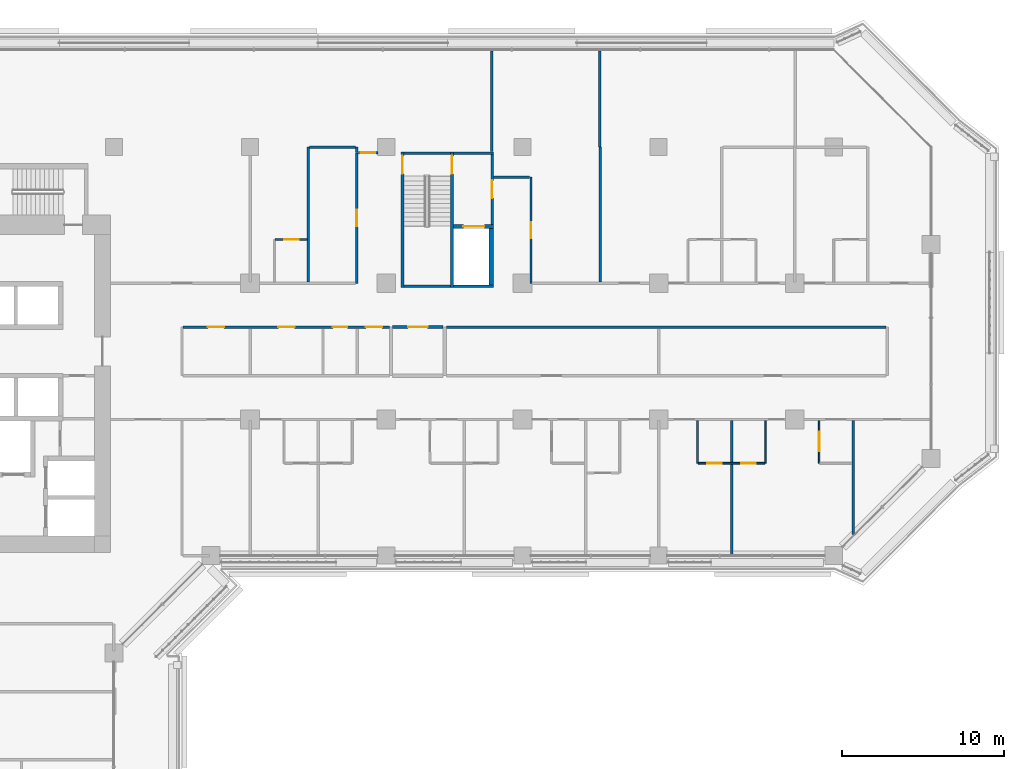
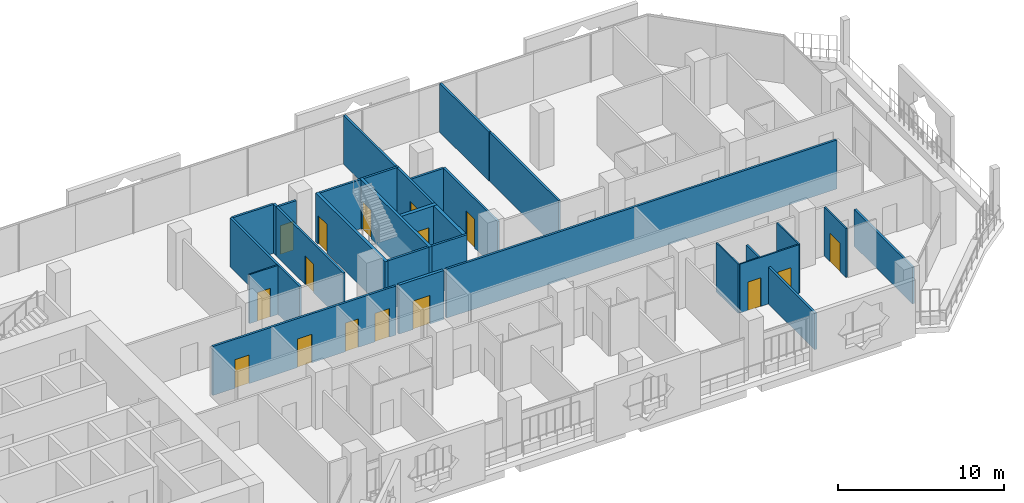
# One storey, part 16 of 25: 29 walls, 16 doors, 16 openings.
"""IFC4 building model written with IfcOpenShell, lengths in metres."""

import ifcopenshell
import ifcopenshell.guid

model = None  # the IFC model being written
_history = None  # IfcOwnerHistory: only IFC2X3 demands one
_inside = {}  # id of a spatial element -> (the spatial element, [elements in it])
_under = {}  # id of a project, library or spatial element -> (it, [spatial elements below it])
_declared = {}  # id of a project -> (the project, [libraries it declares])
_typed = {}  # id of a type object -> (the type object, [elements of that type])
_made_of = {}  # id of a material, layer set ... -> (it, [elements and type objects made of it])


def new_model(schema):
    """Start an empty IFC model of exactly this schema.

    Asked for "IFC4X3", IfcOpenShell would pick the latest addendum, in which some entities
    have other attributes; the version numbers below select the first issue.
    IFC2X3 requires an IfcOwnerHistory on every rooted entity: one is made here for all.
    """
    global model, _history
    if schema == "IFC4X3":
        model = ifcopenshell.file(schema_version=(4, 3, 0, 0))
    else:
        model = ifcopenshell.file(schema=schema)
    _inside.clear()
    _under.clear()
    _declared.clear()
    _typed.clear()
    _made_of.clear()
    _history = None
    if model.schema == "IFC2X3":
        org = make("IfcOrganization", Name="unknown")
        user = make(
            "IfcPersonAndOrganization",
            ThePerson=make("IfcPerson", FamilyName="unknown"),
            TheOrganization=org,
        )
        app = make(
            "IfcApplication",
            ApplicationDeveloper=org,
            Version="unknown",
            ApplicationFullName="unknown",
            ApplicationIdentifier="unknown",
        )
        _history = make(
            "IfcOwnerHistory",
            OwningUser=user,
            OwningApplication=app,
            ChangeAction="ADDED",
            CreationDate=0,
        )
    return model


def make(cls, **values):
    """One entity of the class cls with the attributes given. An attribute that is None is left unset."""
    return model.create_entity(
        cls, **{name: value for name, value in values.items() if value is not None}
    )


def rooted(cls, **values):
    """An entity with a GlobalId (a new one), such as an element, a storey or a relation."""
    return make(cls, GlobalId=ifcopenshell.guid.new(), OwnerHistory=_history, **values)


def si_unit(unit_type, name, prefix=None):
    """IfcSIUnit, for example si_unit("LENGTHUNIT", "METRE", prefix="MILLI")."""
    return make("IfcSIUnit", UnitType=unit_type, Prefix=prefix, Name=name)


def assignment(units):
    """IfcUnitAssignment: the units of a project."""
    return None if units is None else make("IfcUnitAssignment", Units=units)


def point(xyz):
    """IfcCartesianPoint."""
    return None if xyz is None else make("IfcCartesianPoint", Coordinates=xyz)


def direction(xyz):
    """IfcDirection."""
    return None if xyz is None else make("IfcDirection", DirectionRatios=xyz)


def frame(location, z_axis=None, x_axis=None):
    """IfcAxis2Placement3D, a coordinate frame: its origin and axes. An axis left out is left unset."""
    return make(
        "IfcAxis2Placement3D",
        Location=point(location),
        Axis=direction(z_axis),
        RefDirection=direction(x_axis),
    )


def frame_2d(location, x_axis=None):
    """IfcAxis2Placement2D, a coordinate frame in the plane: its origin and x axis."""
    return make(
        "IfcAxis2Placement2D", Location=point(location), RefDirection=direction(x_axis)
    )


def origin():
    """The frame at (0, 0, 0) with its axes left unset."""
    return frame((0.0, 0.0, 0.0))


def place(relative_to, where):
    """IfcLocalPlacement: puts the frame where relative to a parent placement (None: the world)."""
    return make(
        "IfcLocalPlacement", PlacementRelTo=relative_to, RelativePlacement=where
    )


def context(
    kind, dimensions, precision=None, world=None, true_north=None, identifier=None
):
    """IfcGeometricRepresentationContext, for example the 3D "Model" context."""
    return make(
        "IfcGeometricRepresentationContext",
        ContextIdentifier=identifier,
        ContextType=kind,
        CoordinateSpaceDimension=dimensions,
        Precision=precision,
        WorldCoordinateSystem=world,
        TrueNorth=true_north,
    )


def subcontext(parent, identifier, kind, view, scale=None):
    """IfcGeometricRepresentationSubContext, for example "Body" below "Model"."""
    return make(
        "IfcGeometricRepresentationSubContext",
        ContextIdentifier=identifier,
        ContextType=kind,
        ParentContext=parent,
        TargetScale=scale,
        TargetView=view,
    )


def project(units=None, contexts=None):
    """IfcProject with its units and contexts."""
    return rooted(
        "IfcProject",
        Name="project",
        RepresentationContexts=contexts,
        UnitsInContext=assignment(units),
    )


def spatial(cls, under=None, at=None, **own):
    """A site, building, storey or space (cls), placed at a placement, below another one or the project."""
    s = rooted(cls, ObjectPlacement=at, **own)
    if under is not None:
        _under.setdefault(under.id(), (under, []))[1].append(s)
    return s


def profile(cls, at=None, kind="AREA", **sizes):
    """A parametric profile (cls). Its sizes go by their IFC names, for example OverallWidth=200.0."""
    return make(cls, ProfileType=kind, Position=at, **sizes)


def rectangle(**sizes):
    """IfcRectangleProfileDef."""
    return profile("IfcRectangleProfileDef", **sizes)


def extrude(swept, where, along, depth):
    """IfcExtrudedAreaSolid: the profile swept, set in the frame where, extruded along a direction by depth."""
    return make(
        "IfcExtrudedAreaSolid",
        SweptArea=swept,
        Position=where,
        ExtrudedDirection=direction(along),
        Depth=depth,
    )


def shape(context_of_items, identifier, shape_type, items):
    """IfcShapeRepresentation: the items that make up one representation, for example the "Body"."""
    return make(
        "IfcShapeRepresentation",
        ContextOfItems=context_of_items,
        RepresentationIdentifier=identifier,
        RepresentationType=shape_type,
        Items=items,
    )


def material(Name=None, Category=None):
    """IfcMaterial."""
    return make("IfcMaterial", Name=Name, Category=Category)


def layer(
    of_material, thickness, ventilated=None, Name=None, Category=None, Priority=None
):
    """IfcMaterialLayer: one layer of a wall or slab, of a material (None: an air gap)."""
    return make(
        "IfcMaterialLayer",
        Material=of_material,
        LayerThickness=thickness,
        IsVentilated=ventilated,
        Name=Name,
        Category=Category,
        Priority=Priority,
    )


def layer_set(layers, Name=None):
    """IfcMaterialLayerSet."""
    return make("IfcMaterialLayerSet", MaterialLayers=layers, LayerSetName=Name)


def made_of(thing, what):
    """Note that an element or type object is made of a material, layer set ...; save() writes the relation."""
    if what is not None:
        _made_of.setdefault(what.id(), (what, []))[1].append(thing)
    return thing


def type_object(cls, material=None, **own):
    """A type object (cls), such as IfcWallType, which elements share."""
    return made_of(rooted(cls, **own), material)


def element(
    cls,
    number,
    at=None,
    inside=None,
    cuts=None,
    type_object=None,
    material=None,
    context=None,
    identifier="Body",
    shape_type=None,
    held_by="IfcProductDefinitionShape",
    body=None,
    shapes=None,
    **own,
):
    """One element of the class cls, such as IfcWall. Its Tag is "e" and its number.

    at: its placement. inside: the storey or other place that contains it. cuts: it is an
    opening in that element (IfcRelVoidsElement). A single representation is given by context,
    identifier, shape_type and body (its items); several are given by shapes. held_by: the class
    of the entity that holds the representations. save() writes the other relations.
    """
    e = rooted(cls, Tag="e%d" % number, ObjectPlacement=at, **own)
    if body is not None:
        shapes = [shape(context, identifier, shape_type, body)]
    if shapes is not None:
        e.Representation = make(held_by, Representations=shapes)
    if inside is not None:
        _inside.setdefault(inside.id(), (inside, []))[1].append(e)
    if cuts is not None:
        rooted(
            "IfcRelVoidsElement", RelatingBuildingElement=cuts, RelatedOpeningElement=e
        )
    if type_object is not None:
        _typed.setdefault(type_object.id(), (type_object, []))[1].append(e)
    return made_of(e, material)


def fill(opening, filler):
    """IfcRelFillsElement: the door or window that sits in an opening."""
    return rooted(
        "IfcRelFillsElement",
        RelatingOpeningElement=opening,
        RelatedBuildingElement=filler,
    )


def aggregate(whole, parts):
    """IfcRelAggregates: a whole, such as a stair, and the parts it consists of."""
    return rooted("IfcRelAggregates", RelatingObject=whole, RelatedObjects=parts)


def save(model, path):
    """Write the relations noted so far, then the file.

    IfcRelAggregates (storeys below a building ...), IfcRelContainedInSpatialStructure (elements
    in a storey), IfcRelDefinesByType, IfcRelAssociatesMaterial and IfcRelDeclares: one each for
    every whole, place, type object, material and project.
    """
    for whole, parts in _under.values():
        aggregate(whole, parts)
    for where, things in _inside.values():
        rooted(
            "IfcRelContainedInSpatialStructure",
            RelatedElements=things,
            RelatingStructure=where,
        )
    for kind, things in _typed.values():
        rooted("IfcRelDefinesByType", RelatedObjects=things, RelatingType=kind)
    for what, things in _made_of.values():
        rooted("IfcRelAssociatesMaterial", RelatedObjects=things, RelatingMaterial=what)
    for by, libraries in _declared.values():
        rooted("IfcRelDeclares", RelatingContext=by, RelatedDefinitions=libraries)
    model.write(path)


model = new_model("IFC4")

# Units and contexts
model_context = context("Model", 3, precision=1e-05, world=origin(), true_north=direction((0.0, 1.0)))
body_context = subcontext(model_context, "Body", "Model", "MODEL_VIEW")
ifc_project = project(units=[si_unit("LENGTHUNIT", "METRE"), si_unit("AREAUNIT", "SQUARE_METRE"), si_unit("VOLUMEUNIT", "CUBIC_METRE"), si_unit("PLANEANGLEUNIT", "RADIAN"), si_unit("MASSUNIT", "GRAM", prefix="KILO")], contexts=[model_context])

# Site, building, storey
site_placement = place(None, origin())
site = spatial("IfcSite", under=ifc_project, at=site_placement, CompositionType="ELEMENT")
building_placement = place(site_placement, origin())
building = spatial("IfcBuilding", under=site, at=building_placement, Name="Kawkab Arch Medical Tower", CompositionType="ELEMENT")
storey_placement = place(building_placement, frame((0.0, 0.0, 140.800048828125)))
storey = spatial("IfcBuildingStorey", under=building, at=storey_placement, Name="L32", CompositionType="ELEMENT", Elevation=140.800048828125)

# Wall, opening, door
ifc_material_1 = material(Name="Gypsum board on steel studs", Category="steel")
ifc_layer_1 = layer(ifc_material_1, 0.14990234375)
ifc_layer_set_1 = layer_set([ifc_layer_1], Name="Gypsum board on steel studs")
wall_type_1 = type_object("IfcWallType", Name="Core room partition 150", PredefinedType="PARTITIONING", material=ifc_layer_set_1)
wall_1_placement = place(storey_placement, frame((48.52490234375, -4.77490234375, 0.0), z_axis=(0.0, 0.0, 1.0), x_axis=(0.0, 1.0, 0.0)))
wall_1 = element("IfcWall", 1, at=wall_1_placement, inside=storey, type_object=wall_type_1, Name="L32 core room partition", PredefinedType="PARTITIONING", context=body_context, shape_type="SweptSolid", body=[
    extrude(rectangle(XDim=4.324951171875, YDim=0.14990234375, at=frame_2d((2.16259765625, 0.0))), origin(), (0.0, 0.0, 1.0), 3.599853515625),
])
opening_1_placement = place(wall_1_placement, frame((1.625, 0.0, 0.0)))
opening_1 = element("IfcOpeningElement", 2, at=opening_1_placement, cuts=wall_1, Name="Opening FD", PredefinedType="OPENING", context=body_context, shape_type="SweptSolid", body=[
    extrude(rectangle(XDim=1.10009765625, YDim=2.10009765625, at=frame_2d((0.550048828125, 1.050048828125))), frame((0.0, 0.0849609375, 0.0), z_axis=(0.0, -1.0, 0.0), x_axis=(1.0, 0.0, 0.0)), (0.0, 0.0, 1.0), 0.169921875),
])
ifc_material_2 = material(Name="Hollow metal fire door leaf")
door_type_1 = type_object("IfcDoorType", Name="Firefighting lobby door 1100", OperationType="SINGLE_SWING_LEFT", PredefinedType="DOOR", material=ifc_material_2)
door_1_placement = place(opening_1_placement, origin())
door_1 = element("IfcDoor", 3, at=door_1_placement, inside=storey, type_object=door_type_1, Name="L32 Service lift lobby door SV1", OperationType="SINGLE_SWING_LEFT", OverallHeight=2.10009765625, OverallWidth=1.10009765625, PredefinedType="DOOR", context=body_context, shape_type="SweptSolid", body=[
    extrude(rectangle(XDim=1.10009765625, YDim=2.10009765625, at=frame_2d((0.550048828125, 1.050048828125))), frame((0.0, 0.02490234375, 0.0), z_axis=(0.0, -1.0, 0.0), x_axis=(1.0, 0.0, 0.0)), (0.0, 0.0, 1.0), 0.050048828125),
])
fill(opening_1, door_1)

ifc_material_3 = material(Name="Concrete C60/75", Category="concrete")
ifc_layer_2 = layer(ifc_material_3, 0.25)
ifc_layer_set_2 = layer_set([ifc_layer_2], Name="Concrete C60/75")
wall_type_2 = type_object("IfcWallType", Name="Core shear wall 250 C60/75", PredefinedType="SHEAR", material=ifc_layer_set_2)
wall_2_placement = place(storey_placement, frame((46.14990234375, -4.89990234375, 0.0), z_axis=(0.0, 0.0, 1.0), x_axis=(1.0, 0.0, 0.0)))
wall_2 = element("IfcWall", 4, at=wall_2_placement, inside=storey, type_object=wall_type_2, Name="L32 core shear wall", PredefinedType="SHEAR", context=body_context, shape_type="SweptSolid", body=[
    extrude(rectangle(XDim=2.4501953125, YDim=0.25, at=frame_2d((1.22509765625, 0.0))), origin(), (0.0, 0.0, 1.0), 3.599853515625),
])
opening_2_placement = place(wall_2_placement, frame((0.60009765625, 0.0, 0.0)))
opening_2 = element("IfcOpeningElement", 5, at=opening_2_placement, cuts=wall_2, Name="Opening LD2", PredefinedType="OPENING", context=body_context, shape_type="SweptSolid", body=[
    extrude(rectangle(XDim=1.300048828125, YDim=2.10009765625, at=frame_2d((0.64990234375, 1.050048828125))), frame((0.0, 0.135009765625, 0.0), z_axis=(0.0, -1.0, 0.0), x_axis=(1.0, 0.0, 0.0)), (0.0, 0.0, 1.0), 0.27001953125),
])
ifc_material_4 = material(Name="Stainless steel lift door leaf", Category="steel")
door_type_2 = type_object("IfcDoorType", Name="Lift landing door 1300", OperationType="DOUBLE_DOOR_SLIDING", PredefinedType="DOOR", material=ifc_material_4)
door_2_placement = place(opening_2_placement, origin())
door_2 = element("IfcDoor", 6, at=door_2_placement, inside=storey, type_object=door_type_2, Name="L32 Lift landing door SV1", OperationType="DOUBLE_DOOR_SLIDING", OverallHeight=2.10009765625, OverallWidth=1.300048828125, PredefinedType="DOOR", context=body_context, shape_type="SweptSolid", body=[
    extrude(rectangle(XDim=1.300048828125, YDim=2.10009765625, at=frame_2d((0.64990234375, 1.050048828125))), frame((0.0, 0.02490234375, 0.0), z_axis=(0.0, -1.0, 0.0), x_axis=(1.0, 0.0, 0.0)), (0.0, 0.0, 1.0), 0.050048828125),
])
fill(opening_2, door_2)

# Wall
wall_3_placement = place(storey_placement, frame((48.47509765625, -8.5, 0.0), z_axis=(0.0, 0.0, 1.0), x_axis=(0.0, 1.0, 0.0)))
element("IfcWall", 7, at=wall_3_placement, inside=storey, type_object=wall_type_2, Name="L32 core shear wall", PredefinedType="SHEAR", context=body_context, shape_type="SweptSolid", body=[
    extrude(rectangle(XDim=3.47509765625, YDim=0.25, at=frame_2d((1.737548828125, 0.0))), origin(), (0.0, 0.0, 1.0), 3.599853515625),
])

# Wall, openings, doors
ifc_material_5 = material(Name="Gypsum board partition on steel studs", Category="steel")
ifc_layer_3 = layer(ifc_material_5, 0.10009765625)
ifc_layer_set_3 = layer_set([ifc_layer_3], Name="Gypsum board partition on steel studs")
wall_type_3 = type_object("IfcWallType", Name="Partition 100", PredefinedType="PARTITIONING", material=ifc_layer_set_3)
wall_4_placement = place(storey_placement, frame((61.25, -19.5, 0.0), z_axis=(0.0, 0.0, 1.0), x_axis=(1.0, 0.0, 0.0)))
wall_4 = element("IfcWall", 8, at=wall_4_placement, inside=storey, type_object=wall_type_3, Name="Partition 100 w009", PredefinedType="PARTITIONING", context=body_context, shape_type="SweptSolid", body=[
    extrude(rectangle(XDim=4.10009765625, YDim=0.10009765625, at=frame_2d((2.050048828125, 0.0))), origin(), (0.0, 0.0, 1.0), 3.599853515625),
])
opening_3_placement = place(wall_4_placement, frame((0.550048828125, 0.0, 0.0)))
opening_3 = element("IfcOpeningElement", 9, at=opening_3_placement, cuts=wall_4, Name="Opening W27-012", PredefinedType="OPENING", context=body_context, shape_type="SweptSolid", body=[
    extrude(rectangle(XDim=0.89990234375, YDim=2.10009765625, at=frame_2d((0.449951171875, 1.050048828125))), frame((0.0, 0.06005859375, 0.0), z_axis=(0.0, -1.0, 0.0), x_axis=(1.0, 0.0, 0.0)), (0.0, 0.0, 1.0), 0.1201171875),
])
opening_4_placement = place(wall_4_placement, frame((2.64990234375, 0.0, 0.0)))
opening_4 = element("IfcOpeningElement", 10, at=opening_4_placement, cuts=wall_4, Name="Opening W27-013", PredefinedType="OPENING", context=body_context, shape_type="SweptSolid", body=[
    extrude(rectangle(XDim=0.89990234375, YDim=2.10009765625, at=frame_2d((0.449951171875, 1.050048828125))), frame((0.0, 0.06005859375, 0.0), z_axis=(0.0, -1.0, 0.0), x_axis=(1.0, 0.0, 0.0)), (0.0, 0.0, 1.0), 0.1201171875),
])
ifc_material_6 = material(Name="Timber door leaf", Category="wood")
door_type_3 = type_object("IfcDoorType", Name="Single door 900x2100", OperationType="NOTDEFINED", PredefinedType="DOOR", material=ifc_material_6)
door_3_placement = place(opening_3_placement, origin())
door_3 = element("IfcDoor", 11, at=door_3_placement, inside=storey, type_object=door_type_3, Name="Door W27-012", OperationType="SINGLE_SWING_RIGHT", OverallHeight=2.10009765625, OverallWidth=0.89990234375, PredefinedType="DOOR", context=body_context, shape_type="SweptSolid", body=[
    extrude(rectangle(XDim=0.89990234375, YDim=2.10009765625, at=frame_2d((0.449951171875, 1.050048828125))), frame((0.0, 0.02490234375, 0.0), z_axis=(0.0, -1.0, 0.0), x_axis=(1.0, 0.0, 0.0)), (0.0, 0.0, 1.0), 0.050048828125),
])
fill(opening_3, door_3)
door_4_placement = place(opening_4_placement, origin())
door_4 = element("IfcDoor", 12, at=door_4_placement, inside=storey, type_object=door_type_3, Name="Door W27-013", OperationType="SINGLE_SWING_LEFT", OverallHeight=2.10009765625, OverallWidth=0.89990234375, PredefinedType="DOOR", context=body_context, shape_type="SweptSolid", body=[
    extrude(rectangle(XDim=0.89990234375, YDim=2.10009765625, at=frame_2d((0.449951171875, 1.050048828125))), frame((0.0, 0.02490234375, 0.0), z_axis=(0.0, -1.0, 0.0), x_axis=(1.0, 0.0, 0.0)), (0.0, 0.0, 1.0), 0.050048828125),
])
fill(opening_4, door_4)

# Wall, opening, door
wall_5_placement = place(storey_placement, frame((35.15087890625, -5.699951171875, 0.0), z_axis=(0.0, 0.0, 1.0), x_axis=(1.0, 0.0, 0.0)))
wall_5 = element("IfcWall", 13, at=wall_5_placement, inside=storey, type_object=wall_type_3, Name="Partition 100 w011", PredefinedType="PARTITIONING", context=body_context, shape_type="SweptSolid", body=[
    extrude(rectangle(XDim=1.97412109375, YDim=0.10009765625, at=frame_2d((0.987060546875, 0.0))), origin(), (0.0, 0.0, 1.0), 3.599853515625),
])
opening_5_placement = place(wall_5_placement, frame((0.549072265625, 0.0, 0.0)))
opening_5 = element("IfcOpeningElement", 14, at=opening_5_placement, cuts=wall_5, Name="Opening W27-004", PredefinedType="OPENING", context=body_context, shape_type="SweptSolid", body=[
    extrude(rectangle(XDim=0.89990234375, YDim=2.10009765625, at=frame_2d((0.449951171875, 1.050048828125))), frame((0.0, 0.06005859375, 0.0), z_axis=(0.0, -1.0, 0.0), x_axis=(1.0, 0.0, 0.0)), (0.0, 0.0, 1.0), 0.1201171875),
])
door_5_placement = place(opening_5_placement, origin())
door_5 = element("IfcDoor", 15, at=door_5_placement, inside=storey, type_object=door_type_3, Name="Door W27-004", OperationType="SINGLE_SWING_LEFT", OverallHeight=2.10009765625, OverallWidth=0.89990234375, PredefinedType="DOOR", context=body_context, shape_type="SweptSolid", body=[
    extrude(rectangle(XDim=0.89990234375, YDim=2.10009765625, at=frame_2d((0.449951171875, 1.050048828125))), frame((0.0, 0.02490234375, 0.0), z_axis=(0.0, -1.0, 0.0), x_axis=(1.0, 0.0, 0.0)), (0.0, 0.0, 1.0), 0.050048828125),
])
fill(opening_5, door_5)

# Walls
for number, where, z_axis, x_axis, name in (
    (16, (61.199951171875, -19.5, 0.0), (0.0, 0.0, 1.0), (0.0, 1.0, 0.0), "Partition 100 w025"),
    (17, (65.39990234375, -19.5, 0.0), (0.0, 0.0, 1.0), (0.0, 1.0, 0.0), "Partition 100 w027"),
):
    element("IfcWall", number, at=place(storey_placement, frame(where, z_axis=z_axis, x_axis=x_axis)), inside=storey, type_object=wall_type_3, Name=name, PredefinedType="PARTITIONING", context=body_context, shape_type="SweptSolid", body=[
        extrude(rectangle(XDim=2.625, YDim=0.10009765625, at=frame_2d((1.3125, 0.0))), origin(), (0.0, 0.0, 1.0), 3.599853515625),
    ])

# Wall, opening, door
wall_6_placement = place(storey_placement, frame((68.699951171875, -19.5, 0.0), z_axis=(0.0, 0.0, 1.0), x_axis=(0.0, 1.0, 0.0)))
wall_6 = element("IfcWall", 18, at=wall_6_placement, inside=storey, type_object=wall_type_3, Name="Partition 100 w028", PredefinedType="PARTITIONING", context=body_context, shape_type="SweptSolid", body=[
    extrude(rectangle(XDim=2.625, YDim=0.10009765625, at=frame_2d((1.3125, 0.0))), origin(), (0.0, 0.0, 1.0), 3.599853515625),
])
opening_6_placement = place(wall_6_placement, frame((0.75, 0.0, 0.0)))
opening_6 = element("IfcOpeningElement", 19, at=opening_6_placement, cuts=wall_6, Name="Opening W27-052", PredefinedType="OPENING", context=body_context, shape_type="SweptSolid", body=[
    extrude(rectangle(XDim=1.199951171875, YDim=2.10009765625, at=frame_2d((0.60009765625, 1.050048828125))), frame((0.0, 0.06005859375, 0.0), z_axis=(0.0, -1.0, 0.0), x_axis=(1.0, 0.0, 0.0)), (0.0, 0.0, 1.0), 0.1201171875),
])
ifc_material_7 = material(Name="Timber door leaf", Category="wood")
door_type_4 = type_object("IfcDoorType", Name="Single door 1200x2100", OperationType="NOTDEFINED", PredefinedType="DOOR", material=ifc_material_7)
door_6_placement = place(opening_6_placement, origin())
door_6 = element("IfcDoor", 20, at=door_6_placement, inside=storey, type_object=door_type_4, Name="Door W27-052", OperationType="SINGLE_SWING_LEFT", OverallHeight=2.10009765625, OverallWidth=1.199951171875, PredefinedType="DOOR", context=body_context, shape_type="SweptSolid", body=[
    extrude(rectangle(XDim=1.199951171875, YDim=2.10009765625, at=frame_2d((0.60009765625, 1.050048828125))), frame((0.0, 0.02490234375, 0.0), z_axis=(0.0, -1.0, 0.0), x_axis=(1.0, 0.0, 0.0)), (0.0, 0.0, 1.0), 0.050048828125),
])
fill(opening_6, door_6)

# Wall, openings, doors
ifc_material_8 = material(Name="Gypsum board partition on steel studs, mineral wool", Category="steel")
ifc_layer_4 = layer(ifc_material_8, 0.14990234375)
ifc_layer_set_4 = layer_set([ifc_layer_4], Name="Gypsum board partition on steel studs, mineral wool")
wall_type_4 = type_object("IfcWallType", Name="Partition 150", PredefinedType="PARTITIONING", material=ifc_layer_set_4)
wall_7_placement = place(storey_placement, frame((29.47509765625, -11.10009765625, 0.0), z_axis=(0.0, 0.0, 1.0), x_axis=(1.0, 0.0, 0.0)))
wall_7 = element("IfcWall", 21, at=wall_7_placement, inside=storey, type_object=wall_type_4, Name="Partition 150 w049", PredefinedType="PARTITIONING", context=body_context, shape_type="SweptSolid", body=[
    extrude(rectangle(XDim=12.724853515625, YDim=0.14990234375, at=frame_2d((6.3623046875, 0.0))), origin(), (0.0, 0.0, 1.0), 3.599853515625),
])
opening_7_placement = place(wall_7_placement, frame((1.52490234375, 0.0, 0.0)))
opening_7 = element("IfcOpeningElement", 22, at=opening_7_placement, cuts=wall_7, Name="Opening W27-026", PredefinedType="OPENING", context=body_context, shape_type="SweptSolid", body=[
    extrude(rectangle(XDim=1.0, YDim=2.10009765625, at=frame_2d((0.5, 1.050048828125))), frame((0.0, 0.0849609375, 0.0), z_axis=(0.0, -1.0, 0.0), x_axis=(1.0, 0.0, 0.0)), (0.0, 0.0, 1.0), 0.169921875),
])
opening_8_placement = place(wall_7_placement, frame((9.22509765625, 0.0, 0.0)))
opening_8 = element("IfcOpeningElement", 23, at=opening_8_placement, cuts=wall_7, Name="Opening W27-017", PredefinedType="OPENING", context=body_context, shape_type="SweptSolid", body=[
    extrude(rectangle(XDim=0.89990234375, YDim=2.10009765625, at=frame_2d((0.449951171875, 1.050048828125))), frame((0.0, 0.0849609375, 0.0), z_axis=(0.0, -1.0, 0.0), x_axis=(1.0, 0.0, 0.0)), (0.0, 0.0, 1.0), 0.169921875),
])
opening_9_placement = place(wall_7_placement, frame((11.27490234375, 0.0, 0.0)))
opening_9 = element("IfcOpeningElement", 24, at=opening_9_placement, cuts=wall_7, Name="Opening W27-022", PredefinedType="OPENING", context=body_context, shape_type="SweptSolid", body=[
    extrude(rectangle(XDim=1.0, YDim=2.10009765625, at=frame_2d((0.5, 1.050048828125))), frame((0.0, 0.0849609375, 0.0), z_axis=(0.0, -1.0, 0.0), x_axis=(1.0, 0.0, 0.0)), (0.0, 0.0, 1.0), 0.169921875),
])
opening_10_placement = place(wall_7_placement, frame((5.875, 0.0, 0.0)))
opening_10 = element("IfcOpeningElement", 25, at=opening_10_placement, cuts=wall_7, Name="Opening W27-036", PredefinedType="OPENING", context=body_context, shape_type="SweptSolid", body=[
    extrude(rectangle(XDim=1.0, YDim=2.10009765625, at=frame_2d((0.5, 1.050048828125))), frame((0.0, 0.0849609375, 0.0), z_axis=(0.0, -1.0, 0.0), x_axis=(1.0, 0.0, 0.0)), (0.0, 0.0, 1.0), 0.169921875),
])
ifc_material_9 = material(Name="Timber door leaf", Category="wood")
door_type_5 = type_object("IfcDoorType", Name="Single door 1000x2100", OperationType="NOTDEFINED", PredefinedType="DOOR", material=ifc_material_9)
door_7_placement = place(opening_9_placement, origin())
door_7 = element("IfcDoor", 26, at=door_7_placement, inside=storey, type_object=door_type_5, Name="Door W27-022", OperationType="SINGLE_SWING_LEFT", OverallHeight=2.10009765625, OverallWidth=1.0, PredefinedType="DOOR", context=body_context, shape_type="SweptSolid", body=[
    extrude(rectangle(XDim=1.0, YDim=2.10009765625, at=frame_2d((0.5, 1.050048828125))), frame((0.0, 0.02490234375, 0.0), z_axis=(0.0, -1.0, 0.0), x_axis=(1.0, 0.0, 0.0)), (0.0, 0.0, 1.0), 0.050048828125),
])
fill(opening_9, door_7)
ifc_material_10 = material(Name="Hollow metal door leaf")
door_type_6 = type_object("IfcDoorType", Name="Single door 1000x2100 FD30S", OperationType="NOTDEFINED", PredefinedType="DOOR", material=ifc_material_10)
door_8_placement = place(opening_7_placement, origin())
door_8 = element("IfcDoor", 27, at=door_8_placement, inside=storey, type_object=door_type_6, Name="Door W27-026", OperationType="SINGLE_SWING_RIGHT", OverallHeight=2.10009765625, OverallWidth=1.0, PredefinedType="DOOR", context=body_context, shape_type="SweptSolid", body=[
    extrude(rectangle(XDim=1.0, YDim=2.10009765625, at=frame_2d((0.5, 1.050048828125))), frame((0.0, 0.02490234375, 0.0), z_axis=(0.0, -1.0, 0.0), x_axis=(1.0, 0.0, 0.0)), (0.0, 0.0, 1.0), 0.050048828125),
])
fill(opening_7, door_8)
door_9_placement = place(opening_10_placement, origin())
door_9 = element("IfcDoor", 28, at=door_9_placement, inside=storey, type_object=door_type_6, Name="Door W27-036", OperationType="SINGLE_SWING_RIGHT", OverallHeight=2.10009765625, OverallWidth=1.0, PredefinedType="DOOR", context=body_context, shape_type="SweptSolid", body=[
    extrude(rectangle(XDim=1.0, YDim=2.10009765625, at=frame_2d((0.5, 1.050048828125))), frame((0.0, 0.02490234375, 0.0), z_axis=(0.0, -1.0, 0.0), x_axis=(1.0, 0.0, 0.0)), (0.0, 0.0, 1.0), 0.050048828125),
])
fill(opening_10, door_9)
door_10_placement = place(opening_8_placement, origin())
door_10 = element("IfcDoor", 29, at=door_10_placement, inside=storey, type_object=door_type_3, Name="Door W27-017", OperationType="SINGLE_SWING_LEFT", OverallHeight=2.10009765625, OverallWidth=0.89990234375, PredefinedType="DOOR", context=body_context, shape_type="SweptSolid", body=[
    extrude(rectangle(XDim=0.89990234375, YDim=2.10009765625, at=frame_2d((0.449951171875, 1.050048828125))), frame((0.0, 0.02490234375, 0.0), z_axis=(0.0, -1.0, 0.0), x_axis=(1.0, 0.0, 0.0)), (0.0, 0.0, 1.0), 0.050048828125),
])
fill(opening_8, door_10)

# Walls
wall_8_placement = place(storey_placement, frame((45.699951171875, -11.10009765625, 0.0), z_axis=(0.0, 0.0, 1.0), x_axis=(1.0, 0.0, 0.0)))
element("IfcWall", 30, at=wall_8_placement, inside=storey, type_object=wall_type_4, Name="Partition 150 w050", PredefinedType="PARTITIONING", context=body_context, shape_type="SweptSolid", body=[
    extrude(rectangle(XDim=27.125, YDim=0.14990234375, at=frame_2d((13.5625, 0.0))), origin(), (0.0, 0.0, 1.0), 3.599853515625),
])
wall_9_placement = place(storey_placement, frame((48.60009765625, -1.85009765625, 0.0), z_axis=(0.0, 0.0, 1.0), x_axis=(1.0, 0.0, 0.0)))
element("IfcWall", 31, at=wall_9_placement, inside=storey, type_object=wall_type_4, Name="Partition 150 w053", PredefinedType="PARTITIONING", context=body_context, shape_type="SweptSolid", body=[
    extrude(rectangle(XDim=2.246826171875, YDim=0.14990234375, at=frame_2d((1.12353515625, 0.0))), origin(), (0.0, 0.0, 1.0), 3.599853515625),
])

# Wall, opening, door
wall_10_placement = place(storey_placement, frame((40.277099609375, -0.35009765625, 0.0), z_axis=(0.0, 0.0, 1.0), x_axis=(1.0, 0.0, 0.0)))
wall_10 = element("IfcWall", 32, at=wall_10_placement, inside=storey, type_object=wall_type_4, Name="Partition 150 w054", PredefinedType="PARTITIONING", context=body_context, shape_type="SweptSolid", body=[
    extrude(rectangle(XDim=1.2109375, YDim=0.14990234375, at=frame_2d((0.60546875, 0.0))), origin(), (0.0, 0.0, 1.0), 3.599853515625),
])
opening_11_placement = place(wall_10_placement, frame((0.14111328125, 0.0, 0.0)))
opening_11 = element("IfcOpeningElement", 33, at=opening_11_placement, cuts=wall_10, Name="Opening W27-018", PredefinedType="OPENING", context=body_context, shape_type="SweptSolid", body=[
    extrude(rectangle(XDim=0.89990234375, YDim=2.10009765625, at=frame_2d((0.449951171875, 1.050048828125))), frame((0.0, 0.0849609375, 0.0), z_axis=(0.0, -1.0, 0.0), x_axis=(1.0, 0.0, 0.0)), (0.0, 0.0, 1.0), 0.169921875),
])
ifc_material_11 = material(Name="Hollow metal door leaf")
door_type_7 = type_object("IfcDoorType", Name="Single door 900x2100 FD30S", OperationType="NOTDEFINED", PredefinedType="DOOR", material=ifc_material_11)
door_11_placement = place(opening_11_placement, origin())
door_11 = element("IfcDoor", 34, at=door_11_placement, inside=storey, type_object=door_type_7, Name="Door W27-018", OperationType="SINGLE_SWING_RIGHT", OverallHeight=2.10009765625, OverallWidth=0.89990234375, PredefinedType="DOOR", context=body_context, shape_type="SweptSolid", body=[
    extrude(rectangle(XDim=0.89990234375, YDim=2.10009765625, at=frame_2d((0.449951171875, 1.050048828125))), frame((0.0, 0.02490234375, 0.0), z_axis=(0.0, -1.0, 0.0), x_axis=(1.0, 0.0, 0.0)), (0.0, 0.0, 1.0), 0.050048828125),
])
fill(opening_11, door_11)

# Walls
wall_11_placement = place(storey_placement, frame((37.278076171875, 0.0, 0.0), z_axis=(0.0, 0.0, 1.0), x_axis=(1.0, 0.0, 0.0)))
element("IfcWall", 35, at=wall_11_placement, inside=storey, type_object=wall_type_4, Name="Partition 150 w055", PredefinedType="PARTITIONING", context=body_context, shape_type="SweptSolid", body=[
    extrude(rectangle(XDim=2.825927734375, YDim=0.14990234375, at=frame_2d((1.4130859375, 0.0))), origin(), (0.0, 0.0, 1.0), 3.599853515625),
])
wall_12_placement = place(storey_placement, frame((37.199951171875, -8.324951171875, 0.0), z_axis=(0.0, 0.0, 1.0), x_axis=(0.0, 1.0, 0.0)))
element("IfcWall", 36, at=wall_12_placement, inside=storey, type_object=wall_type_4, Name="Partition 150 w070", PredefinedType="PARTITIONING", context=body_context, shape_type="SweptSolid", body=[
    extrude(rectangle(XDim=8.322021484375, YDim=0.14990234375, at=frame_2d((4.1611328125, 0.0))), origin(), (0.0, 0.0, 1.0), 3.599853515625),
])

# Wall, opening, door
wall_13_placement = place(storey_placement, frame((40.181884765625, -8.39990234375, 0.0), z_axis=(0.0, 0.0, 1.0), x_axis=(0.0, 1.0, 0.0)))
wall_13 = element("IfcWall", 37, at=wall_13_placement, inside=storey, type_object=wall_type_4, Name="Partition 150 w073", PredefinedType="PARTITIONING", context=body_context, shape_type="SweptSolid", body=[
    extrude(rectangle(XDim=8.0498046875, YDim=0.14990234375, at=frame_2d((4.02490234375, 0.0))), origin(), (0.0, 0.0, 1.0), 3.599853515625),
])
opening_12_placement = place(wall_13_placement, frame((3.52490234375, 0.0, 0.0)))
opening_12 = element("IfcOpeningElement", 38, at=opening_12_placement, cuts=wall_13, Name="Opening W27-023", PredefinedType="OPENING", context=body_context, shape_type="SweptSolid", body=[
    extrude(rectangle(XDim=1.0, YDim=2.10009765625, at=frame_2d((0.5, 1.050048828125))), frame((0.0, 0.0849609375, 0.0), z_axis=(0.0, -1.0, 0.0), x_axis=(1.0, 0.0, 0.0)), (0.0, 0.0, 1.0), 0.169921875),
])
door_12_placement = place(opening_12_placement, origin())
door_12 = element("IfcDoor", 39, at=door_12_placement, inside=storey, type_object=door_type_6, Name="Door W27-023", OperationType="SINGLE_SWING_RIGHT", OverallHeight=2.10009765625, OverallWidth=1.0, PredefinedType="DOOR", context=body_context, shape_type="SweptSolid", body=[
    extrude(rectangle(XDim=1.0, YDim=2.10009765625, at=frame_2d((0.5, 1.050048828125))), frame((0.0, 0.02490234375, 0.0), z_axis=(0.0, -1.0, 0.0), x_axis=(1.0, 0.0, 0.0)), (0.0, 0.0, 1.0), 0.050048828125),
])
fill(opening_12, door_12)

# Walls
wall_14_placement = place(storey_placement, frame((40.181884765625, -0.330078125, 0.0), z_axis=(0.0, 0.0, 1.0), x_axis=(0.0, 1.0, 0.0)))
element("IfcWall", 40, at=wall_14_placement, inside=storey, type_object=wall_type_4, Name="Partition 150 w074", PredefinedType="PARTITIONING", context=body_context, shape_type="SweptSolid", body=[
    extrude(rectangle(XDim=0.3271484375, YDim=0.14990234375, at=frame_2d((0.16357421875, 0.0))), origin(), (0.0, 0.0, 1.0), 3.599853515625),
])
wall_15_placement = place(storey_placement, frame((48.5, -0.27001953125, 0.0), z_axis=(0.0, 0.0, 1.0), x_axis=(0.0, 1.0, 0.0)))
element("IfcWall", 41, at=wall_15_placement, inside=storey, type_object=wall_type_4, Name="Partition 150 w077", PredefinedType="PARTITIONING", context=body_context, shape_type="SweptSolid", body=[
    extrude(rectangle(XDim=6.18994140625, YDim=0.14990234375, at=frame_2d((3.094970703125, 0.0))), origin(), (0.0, 0.0, 1.0), 3.599853515625),
])

# Wall, opening, door
wall_16_placement = place(storey_placement, frame((50.925048828125, -8.39990234375, 0.0), z_axis=(0.0, 0.0, 1.0), x_axis=(0.0, 1.0, 0.0)))
wall_16 = element("IfcWall", 42, at=wall_16_placement, inside=storey, type_object=wall_type_4, Name="Partition 150 w078", PredefinedType="PARTITIONING", context=body_context, shape_type="SweptSolid", body=[
    extrude(rectangle(XDim=6.5478515625, YDim=0.14990234375, at=frame_2d((3.27392578125, 0.0))), origin(), (0.0, 0.0, 1.0), 3.599853515625),
])
opening_13_placement = place(wall_16_placement, frame((2.77392578125, 0.0, 0.0)))
opening_13 = element("IfcOpeningElement", 43, at=opening_13_placement, cuts=wall_16, Name="Opening W27-024", PredefinedType="OPENING", context=body_context, shape_type="SweptSolid", body=[
    extrude(rectangle(XDim=1.0, YDim=2.10009765625, at=frame_2d((0.5, 1.050048828125))), frame((0.0, 0.0849609375, 0.0), z_axis=(0.0, -1.0, 0.0), x_axis=(1.0, 0.0, 0.0)), (0.0, 0.0, 1.0), 0.169921875),
])
door_13_placement = place(opening_13_placement, origin())
door_13 = element("IfcDoor", 44, at=door_13_placement, inside=storey, type_object=door_type_6, Name="Door W27-024", OperationType="SINGLE_SWING_RIGHT", OverallHeight=2.10009765625, OverallWidth=1.0, PredefinedType="DOOR", context=body_context, shape_type="SweptSolid", body=[
    extrude(rectangle(XDim=1.0, YDim=2.10009765625, at=frame_2d((0.5, 1.050048828125))), frame((0.0, 0.02490234375, 0.0), z_axis=(0.0, -1.0, 0.0), x_axis=(1.0, 0.0, 0.0)), (0.0, 0.0, 1.0), 0.050048828125),
])
fill(opening_13, door_13)

# Walls
wall_17_placement = place(storey_placement, frame((55.179931640625, 0.02001953125, 0.0), z_axis=(0.0, 0.0, 1.0), x_axis=(0.0, 1.0, 0.0)))
element("IfcWall", 45, at=wall_17_placement, inside=storey, type_object=wall_type_4, Name="Partition 150 w080", PredefinedType="PARTITIONING", context=body_context, shape_type="SweptSolid", body=[
    extrude(rectangle(XDim=5.89990234375, YDim=0.14990234375, at=frame_2d((2.949951171875, 0.0))), origin(), (0.0, 0.0, 1.0), 3.599853515625),
])
wall_18_placement = place(storey_placement, frame((55.199951171875, -8.324951171875, 0.0), z_axis=(0.0, 0.0, 1.0), x_axis=(0.0, 1.0, 0.0)))
element("IfcWall", 46, at=wall_18_placement, inside=storey, type_object=wall_type_4, Name="Partition 150 w081", PredefinedType="PARTITIONING", context=body_context, shape_type="SweptSolid", body=[
    extrude(rectangle(XDim=8.321044921875, YDim=0.14990234375, at=frame_2d((4.16064453125, 0.0))), origin(), (0.0, 0.0, 1.0), 3.599853515625),
])
wall_19_placement = place(storey_placement, frame((63.300048828125, -25.1201171875, 0.0), z_axis=(0.0, 0.0, 1.0), x_axis=(0.0, 1.0, 0.0)))
element("IfcWall", 47, at=wall_19_placement, inside=storey, type_object=wall_type_4, Name="Partition 150 w085", PredefinedType="PARTITIONING", context=body_context, shape_type="SweptSolid", body=[
    extrude(rectangle(XDim=8.2451171875, YDim=0.14990234375, at=frame_2d((4.12255859375, 0.0))), origin(), (0.0, 0.0, 1.0), 2.699951171875),
])
wall_20_placement = place(storey_placement, frame((70.800048828125, -23.886962890625, 0.0), z_axis=(0.0, 0.0, 1.0), x_axis=(0.0, 1.0, 0.0)))
element("IfcWall", 48, at=wall_20_placement, inside=storey, type_object=wall_type_4, Name="Partition 150 w088", PredefinedType="PARTITIONING", context=body_context, shape_type="SweptSolid", body=[
    extrude(rectangle(XDim=7.011962890625, YDim=0.14990234375, at=frame_2d((3.505859375, 0.0))), origin(), (0.0, 0.0, 1.0), 2.699951171875),
])

# Wall, opening, door
ifc_material_12 = material(Name="Fire-rated gypsum board partition on steel studs", Category="steel")
ifc_layer_5 = layer(ifc_material_12, 0.199951171875)
ifc_layer_set_5 = layer_set([ifc_layer_5], Name="Fire-rated gypsum board partition on steel studs")
wall_type_5 = type_object("IfcWallType", Name="Protected partition 200", PredefinedType="PARTITIONING", material=ifc_layer_set_5)
wall_21_placement = place(storey_placement, frame((42.39990234375, -11.10009765625, 0.0), z_axis=(0.0, 0.0, 1.0), x_axis=(1.0, 0.0, 0.0)))
wall_21 = element("IfcWall", 49, at=wall_21_placement, inside=storey, type_object=wall_type_5, Name="Protected partition 200 w092", PredefinedType="PARTITIONING", context=body_context, shape_type="SweptSolid", body=[
    extrude(rectangle(XDim=3.10009765625, YDim=0.199951171875, at=frame_2d((1.550048828125, 0.0))), origin(), (0.0, 0.0, 1.0), 3.599853515625),
])
opening_14_placement = place(wall_21_placement, frame((0.949951171875, 0.0, 0.0)))
opening_14 = element("IfcOpeningElement", 50, at=opening_14_placement, cuts=wall_21, Name="Opening W27-058", PredefinedType="OPENING", context=body_context, shape_type="SweptSolid", body=[
    extrude(rectangle(XDim=1.199951171875, YDim=2.10009765625, at=frame_2d((0.60009765625, 1.050048828125))), frame((0.0, 0.10986328125, 0.0), z_axis=(0.0, -1.0, 0.0), x_axis=(1.0, 0.0, 0.0)), (0.0, 0.0, 1.0), 0.219970703125),
])
ifc_material_13 = material(Name="Hollow metal door leaf")
door_type_8 = type_object("IfcDoorType", Name="Single door 1200x2100 FD60", OperationType="NOTDEFINED", PredefinedType="DOOR", material=ifc_material_13)
door_14_placement = place(opening_14_placement, origin())
door_14 = element("IfcDoor", 51, at=door_14_placement, inside=storey, type_object=door_type_8, Name="Door W27-058", OperationType="SINGLE_SWING_LEFT", OverallHeight=2.10009765625, OverallWidth=1.199951171875, PredefinedType="DOOR", context=body_context, shape_type="SweptSolid", body=[
    extrude(rectangle(XDim=1.199951171875, YDim=2.10009765625, at=frame_2d((0.60009765625, 1.050048828125))), frame((0.0, 0.02490234375, 0.0), z_axis=(0.0, -1.0, 0.0), x_axis=(1.0, 0.0, 0.0)), (0.0, 0.0, 1.0), 0.050048828125),
])
fill(opening_14, door_14)

# Walls
ifc_material_14 = material(Name="Concrete C50/60", Category="concrete")
ifc_layer_6 = layer(ifc_material_14, 0.14990234375)
ifc_layer_set_6 = layer_set([ifc_layer_6], Name="Concrete C50/60")
wall_type_6 = type_object("IfcWallType", Name="Stair enclosure wall 150 C50/60", PredefinedType="SHEAR", material=ifc_layer_set_6)
wall_22_placement = place(storey_placement, frame((43.10009765625, -0.375, 0.0), z_axis=(0.0, 0.0, 1.0), x_axis=(1.0, 0.0, 0.0)))
element("IfcWall", 52, at=wall_22_placement, inside=storey, type_object=wall_type_6, Name="L32 stair enclosure wall", PredefinedType="SHEAR", context=body_context, shape_type="SweptSolid", body=[
    extrude(rectangle(XDim=2.849853515625, YDim=0.14990234375, at=frame_2d((1.4248046875, 0.0))), origin(), (0.0, 0.0, 1.0), 3.599853515625),
])
wall_23_placement = place(storey_placement, frame((46.14990234375, -0.375, 0.0), z_axis=(0.0, 0.0, 1.0), x_axis=(1.0, 0.0, 0.0)))
element("IfcWall", 53, at=wall_23_placement, inside=storey, type_object=wall_type_6, Name="L32 stair enclosure wall", PredefinedType="SHEAR", context=body_context, shape_type="SweptSolid", body=[
    extrude(rectangle(XDim=2.4501953125, YDim=0.14990234375, at=frame_2d((1.22509765625, 0.0))), origin(), (0.0, 0.0, 1.0), 3.599853515625),
])
wall_24_placement = place(storey_placement, frame((43.10009765625, -8.574951171875, 0.0), z_axis=(0.0, 0.0, 1.0), x_axis=(1.0, 0.0, 0.0)))
element("IfcWall", 54, at=wall_24_placement, inside=storey, type_object=wall_type_6, Name="L32 stair enclosure wall", PredefinedType="SHEAR", context=body_context, shape_type="SweptSolid", body=[
    extrude(rectangle(XDim=2.849853515625, YDim=0.14990234375, at=frame_2d((1.4248046875, 0.0))), origin(), (0.0, 0.0, 1.0), 3.599853515625),
])
wall_25_placement = place(storey_placement, frame((46.14990234375, -8.574951171875, 0.0), z_axis=(0.0, 0.0, 1.0), x_axis=(1.0, 0.0, 0.0)))
element("IfcWall", 55, at=wall_25_placement, inside=storey, type_object=wall_type_6, Name="L32 stair enclosure wall", PredefinedType="SHEAR", context=body_context, shape_type="SweptSolid", body=[
    extrude(rectangle(XDim=2.4501953125, YDim=0.14990234375, at=frame_2d((1.22509765625, 0.0))), origin(), (0.0, 0.0, 1.0), 3.599853515625),
])

# Wall, opening, door
ifc_material_15 = material(Name="Concrete C50/60", Category="concrete")
ifc_layer_7 = layer(ifc_material_15, 0.199951171875)
ifc_layer_set_7 = layer_set([ifc_layer_7], Name="Concrete C50/60")
wall_type_7 = type_object("IfcWallType", Name="Stair enclosure wall 200 C50/60", PredefinedType="SHEAR", material=ifc_layer_set_7)
wall_26_placement = place(storey_placement, frame((43.0, -8.64990234375, 0.0), z_axis=(0.0, 0.0, 1.0), x_axis=(0.0, 1.0, 0.0)))
wall_26 = element("IfcWall", 56, at=wall_26_placement, inside=storey, type_object=wall_type_7, Name="L32 stair enclosure wall", PredefinedType="SHEAR", context=body_context, shape_type="SweptSolid", body=[
    extrude(rectangle(XDim=8.349853515625, YDim=0.199951171875, at=frame_2d((4.1748046875, 0.0))), origin(), (0.0, 0.0, 1.0), 3.599853515625),
])
opening_15_placement = place(wall_26_placement, frame((7.0, 0.0, 0.0)))
opening_15 = element("IfcOpeningElement", 57, at=opening_15_placement, cuts=wall_26, Name="Opening SD", PredefinedType="OPENING", context=body_context, shape_type="SweptSolid", body=[
    extrude(rectangle(XDim=1.10009765625, YDim=2.10009765625, at=frame_2d((0.550048828125, 1.050048828125))), frame((0.0, 0.10986328125, 0.0), z_axis=(0.0, -1.0, 0.0), x_axis=(1.0, 0.0, 0.0)), (0.0, 0.0, 1.0), 0.219970703125),
])
ifc_material_16 = material(Name="Hollow metal fire door leaf")
door_type_9 = type_object("IfcDoorType", Name="Exit stair door 1100", OperationType="SINGLE_SWING_LEFT", PredefinedType="DOOR", material=ifc_material_16)
door_15_placement = place(opening_15_placement, frame((1.10009765625, 0.0, 0.0), z_axis=(0.0, 0.0, 1.0), x_axis=(-1.0, 0.0, 0.0)))
door_15 = element("IfcDoor", 58, at=door_15_placement, inside=storey, type_object=door_type_9, Name="L32 Exit stair ST5 door", OperationType="SINGLE_SWING_LEFT", OverallHeight=2.10009765625, OverallWidth=1.10009765625, PredefinedType="DOOR", context=body_context, shape_type="SweptSolid", body=[
    extrude(rectangle(XDim=1.10009765625, YDim=2.10009765625, at=frame_2d((0.550048828125, 1.050048828125))), frame((0.0, 0.02490234375, 0.0), z_axis=(0.0, -1.0, 0.0), x_axis=(1.0, 0.0, 0.0)), (0.0, 0.0, 1.0), 0.050048828125),
])
fill(opening_15, door_15)

wall_27_placement = place(storey_placement, frame((46.050048828125, -8.64990234375, 0.0), z_axis=(0.0, 0.0, 1.0), x_axis=(0.0, 1.0, 0.0)))
wall_27 = element("IfcWall", 59, at=wall_27_placement, inside=storey, type_object=wall_type_7, Name="L32 stair enclosure wall", PredefinedType="SHEAR", context=body_context, shape_type="SweptSolid", body=[
    extrude(rectangle(XDim=8.349853515625, YDim=0.199951171875, at=frame_2d((4.1748046875, 0.0))), origin(), (0.0, 0.0, 1.0), 3.599853515625),
])
opening_16_placement = place(wall_27_placement, frame((7.0, 0.0, 0.0)))
opening_16 = element("IfcOpeningElement", 60, at=opening_16_placement, cuts=wall_27, Name="Opening SD", PredefinedType="OPENING", context=body_context, shape_type="SweptSolid", body=[
    extrude(rectangle(XDim=1.10009765625, YDim=2.10009765625, at=frame_2d((0.550048828125, 1.050048828125))), frame((0.0, 0.10986328125, 0.0), z_axis=(0.0, -1.0, 0.0), x_axis=(1.0, 0.0, 0.0)), (0.0, 0.0, 1.0), 0.219970703125),
])
door_16_placement = place(opening_16_placement, origin())
door_16 = element("IfcDoor", 61, at=door_16_placement, inside=storey, type_object=door_type_9, Name="L32 Exit stair ST5 lobby door", OperationType="SINGLE_SWING_LEFT", OverallHeight=2.10009765625, OverallWidth=1.10009765625, PredefinedType="DOOR", context=body_context, shape_type="SweptSolid", body=[
    extrude(rectangle(XDim=1.10009765625, YDim=2.10009765625, at=frame_2d((0.550048828125, 1.050048828125))), frame((0.0, 0.02490234375, 0.0), z_axis=(0.0, -1.0, 0.0), x_axis=(1.0, 0.0, 0.0)), (0.0, 0.0, 1.0), 0.050048828125),
])
fill(opening_16, door_16)

save(model, "model.ifc")
